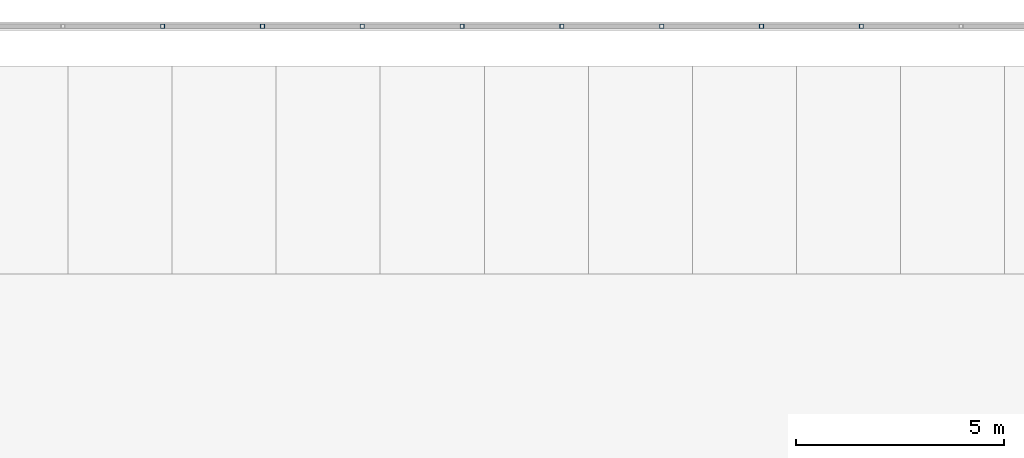
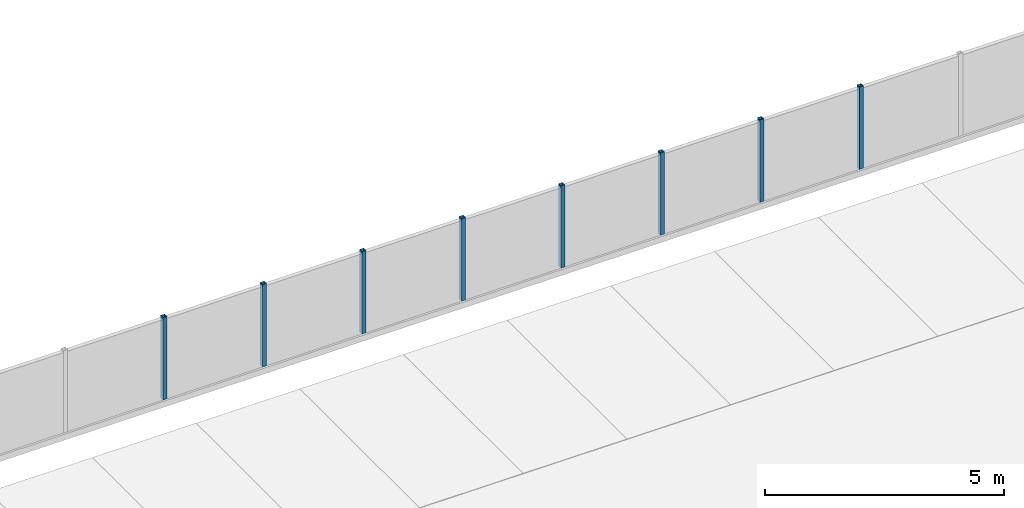
# One storey, part 31 of 129: 8 members.
"""IFC4 building model written with IfcOpenShell, lengths in metres."""

from ifc_helpers import new_model, si_unit, direction, frame, origin, origin_2d, place, context, subcontext, project, spatial, hollow_rectangle, extrude, material, material_profile, profile_set, type_object, element, save


model = new_model("IFC4")

# Units and contexts
model_context = context("Model", 3, precision=1e-05, world=origin(), true_north=direction((0.0, 1.0)))
body_context = subcontext(model_context, "Body", "Model", "MODEL_VIEW")
ifc_project = project(units=[si_unit("LENGTHUNIT", "METRE"), si_unit("AREAUNIT", "SQUARE_METRE"), si_unit("VOLUMEUNIT", "CUBIC_METRE"), si_unit("PLANEANGLEUNIT", "RADIAN"), si_unit("MASSUNIT", "GRAM", prefix="KILO")], contexts=[model_context])

# Site, building, storey
site_placement = place(None, origin())
site = spatial("IfcSite", under=ifc_project, at=site_placement, CompositionType="ELEMENT")
building_placement = place(site_placement, origin())
building = spatial("IfcBuilding", under=site, at=building_placement, Name="Kiln Court Media Centre", CompositionType="ELEMENT")
storey_placement = place(building_placement, origin())
storey = spatial("IfcBuildingStorey", under=building, at=storey_placement, Name="L00", CompositionType="ELEMENT", Elevation=0.0)

# Members
ifc_material = material(Name="Steel ASTM A500 Gr C", Category="steel")
ifc_material_profile = material_profile(ifc_material, hollow_rectangle(XDim=0.10009765625, YDim=0.10009765625, WallThickness=0.00634765625, at=origin_2d()), Name="SHS 100x100x6.3")
ifc_profile_set = profile_set([ifc_material_profile], Name="Steel ASTM A500 Gr C")
member_type = type_object("IfcMemberType", Name="Steel ASTM A500 Gr C fence post SHS 100x100x6.3", PredefinedType="USERDEFINED", material=ifc_profile_set)
for number, where, z_axis, x_axis, name in (
    (1, (129.5712890625, 87.85009765625, -1.050048828125), (0.0, 0.0, 1.0), (1.0, 0.0, 0.0), "Fence post 53"),
    (2, (131.9697265625, 87.85009765625, -1.050048828125), (0.0, 0.0, 1.0), (1.0, 0.0, 0.0), "Fence post 54"),
    (3, (134.368408203125, 87.85009765625, -1.050048828125), (0.0, 0.0, 1.0), (1.0, 0.0, 0.0), "Fence post 55"),
    (4, (136.766845703125, 87.85009765625, -1.050048828125), (0.0, 0.0, 1.0), (1.0, 0.0, 0.0), "Fence post 56"),
    (5, (139.165283203125, 87.85009765625, -1.050048828125), (0.0, 0.0, 1.0), (1.0, 0.0, 0.0), "Fence post 57"),
    (6, (141.563720703125, 87.85009765625, -1.050048828125), (0.0, 0.0, 1.0), (1.0, 0.0, 0.0), "Fence post 58"),
    (7, (143.96240234375, 87.85009765625, -1.050048828125), (0.0, 0.0, 1.0), (1.0, 0.0, 0.0), "Fence post 59"),
    (8, (146.36083984375, 87.85009765625, -1.050048828125), (0.0, 0.0, 1.0), (1.0, 0.0, 0.0), "Fence post 60"),
):
    element("IfcMember", number, at=place(storey_placement, frame(where, z_axis=z_axis, x_axis=x_axis)), inside=storey, type_object=member_type, Name=name, ObjectType="FENCE POST", PredefinedType="USERDEFINED", context=body_context, shape_type="SweptSolid", body=[
        extrude(hollow_rectangle(XDim=0.10009765625, YDim=0.10009765625, WallThickness=0.00634765625, at=origin_2d()), origin(), (0.0, 0.0, 1.0), 2.10009765625),
    ])

save(model, "model.ifc")
